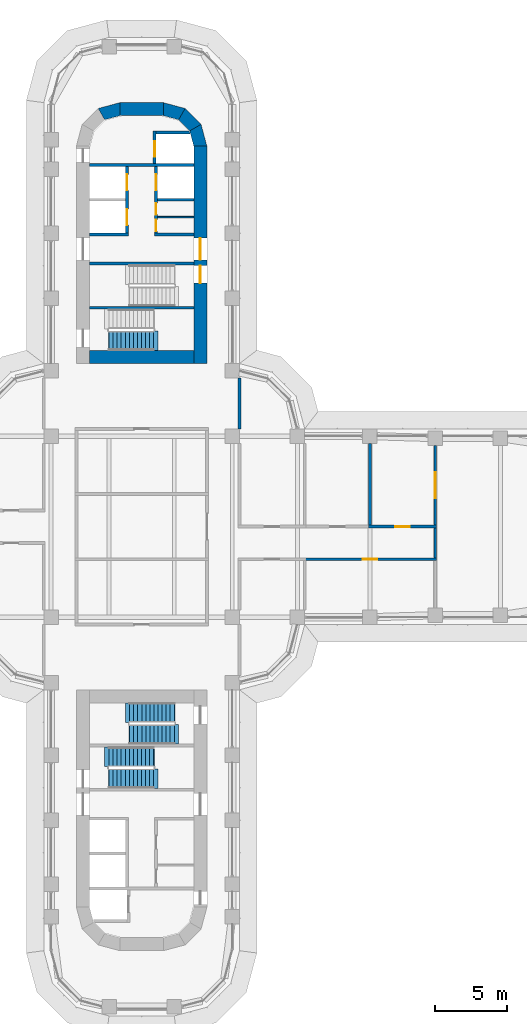
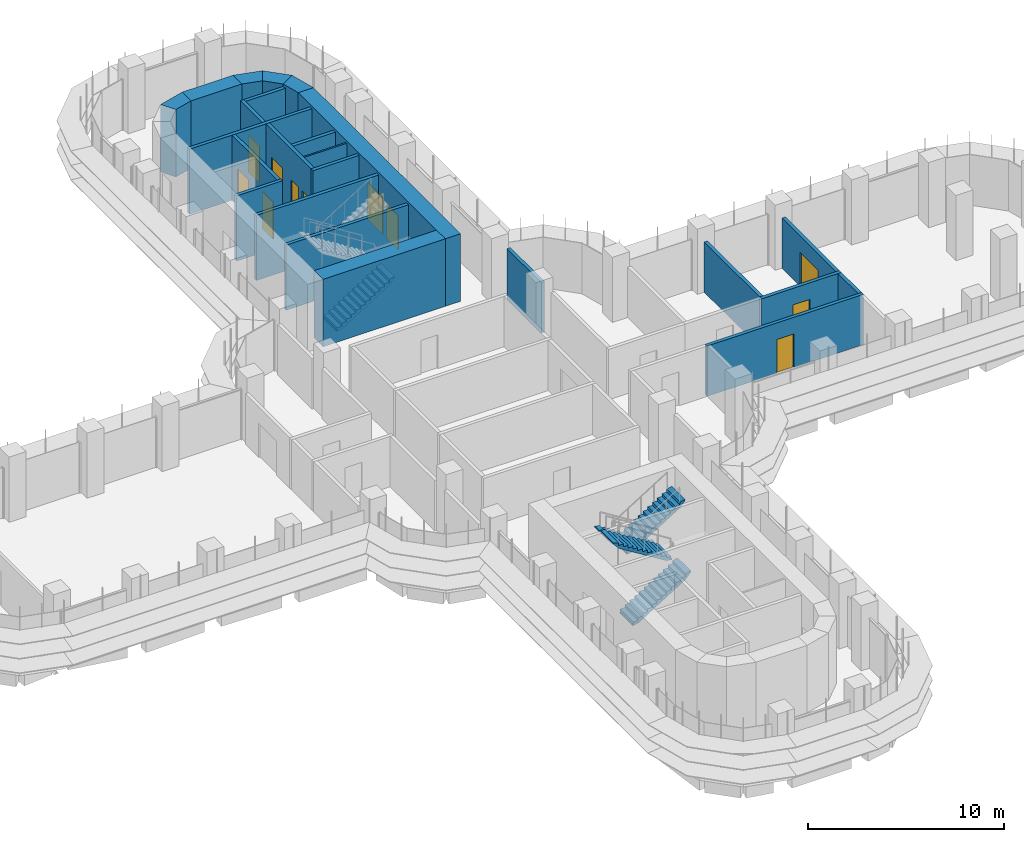
# One storey, part 18 of 23: 24 walls, 11 doors, 5 stair flights, 11 openings, 3 elements without a shape of their own.
"""IFC4 building model written with IfcOpenShell, lengths in metres."""

from ifc_helpers import new_model, si_unit, direction, frame, frame_2d, origin, place, context, subcontext, project, spatial, polyline, rectangle, outline, extrude, material, layer, layer_set, type_object, element, fill, aggregate, save


model = new_model("IFC4")

# Units and contexts
model_context = context("Model", 3, precision=1e-05, world=origin(), true_north=direction((0.0, 1.0)))
body_context = subcontext(model_context, "Body", "Model", "MODEL_VIEW")
ifc_project = project(units=[si_unit("LENGTHUNIT", "METRE"), si_unit("AREAUNIT", "SQUARE_METRE"), si_unit("VOLUMEUNIT", "CUBIC_METRE"), si_unit("PLANEANGLEUNIT", "RADIAN"), si_unit("MASSUNIT", "GRAM", prefix="KILO")], contexts=[model_context])

# Site, building, storey
site_placement = place(None, origin())
site = spatial("IfcSite", under=ifc_project, at=site_placement, CompositionType="ELEMENT")
building_placement = place(site_placement, origin())
building = spatial("IfcBuilding", under=site, at=building_placement, Name="Zarbagh Exchange Tower", CompositionType="ELEMENT")
storey_placement = place(building_placement, frame((0.0, 0.0, 73.199951171875)))
storey = spatial("IfcBuildingStorey", under=building, at=storey_placement, Name="L16", CompositionType="ELEMENT", Elevation=73.199951171875)

# Walls
ifc_material_1 = material(Name="Dense blockwork", Category="masonry")
ifc_layer_1 = layer(ifc_material_1, 0.10009765625)
ifc_layer_set_1 = layer_set([ifc_layer_1], Name="Core partition 100 mm blockwork")
wall_type_1 = type_object("IfcWallType", Name="Core partition 100 mm blockwork", PredefinedType="PARTITIONING", material=ifc_layer_set_1)
wall_1_placement = place(storey_placement, frame((1.10009765625, 21.35009765625, 0.0), z_axis=(0.0, 0.0, 1.0), x_axis=(1.0, 0.0, 0.0)))
element("IfcWall", 1, at=wall_1_placement, inside=storey, type_object=wall_type_1, Name="North core partition wall CUT-E-700", PredefinedType="PARTITIONING", context=body_context, shape_type="SweptSolid", body=[
    extrude(rectangle(XDim=2.5, YDim=0.10009765625, at=frame_2d((1.25, 0.0))), origin(), (0.0, 0.0, 1.0), 4.050048828125),
])
ifc_material_2 = material(Name="Fire-rated plasterboard partition")
ifc_layer_2 = layer(ifc_material_2, 0.199951171875)
ifc_layer_set_2 = layer_set([ifc_layer_2], Name="RATED PARTITION 200")
wall_type_2 = type_object("IfcWallType", Name="RATED PARTITION 200", PredefinedType="PARTITIONING", material=ifc_layer_set_2)
wall_2_placement = place(storey_placement, frame((6.75, 6.75, 0.0), z_axis=(0.0, 0.0, 1.0), x_axis=(0.0, 1.0, 0.0)))
element("IfcWall", 2, at=wall_2_placement, inside=storey, type_object=wall_type_2, Name="Partition W-512", PredefinedType="PARTITIONING", context=body_context, shape_type="SweptSolid", body=[
    extrude(rectangle(XDim=3.5, YDim=0.199951171875, at=frame_2d((1.75, 0.0))), origin(), (0.0, 0.0, 1.0), 3.130615234375),
])

# Wall, opening, door
wall_3_placement = place(storey_placement, frame((15.64990234375, 0.0, 0.0), z_axis=(0.0, 0.0, 1.0), x_axis=(1.0, 0.0, 0.0)))
wall_3 = element("IfcWall", 3, at=wall_3_placement, inside=storey, type_object=wall_type_2, Name="Partition W-522", PredefinedType="PARTITIONING", context=body_context, shape_type="SweptSolid", body=[
    extrude(rectangle(XDim=4.7001953125, YDim=0.199951171875, at=frame_2d((2.35009765625, 0.0))), origin(), (0.0, 0.0, 1.0), 3.130615234375),
])
opening_1_placement = place(wall_3_placement, frame((1.85009765625, 0.0, 0.0)))
opening_1 = element("IfcOpeningElement", 4, at=opening_1_placement, cuts=wall_3, Name="Opening D-507", PredefinedType="OPENING", context=body_context, shape_type="SweptSolid", body=[
    extrude(rectangle(XDim=1.0, YDim=2.10009765625, at=frame_2d((0.5, 1.050048828125))), frame((0.0, 0.10986328125, 0.0), z_axis=(0.0, -1.0, 0.0), x_axis=(1.0, 0.0, 0.0)), (0.0, 0.0, 1.0), 0.219970703125),
])
ifc_material_3 = material(Name="Steel door set", Category="steel")
door_type_1 = type_object("IfcDoorType", Name="FIRE DOOR 1000 X 2100 FD30S", OperationType="NOTDEFINED", PredefinedType="DOOR", material=ifc_material_3)
door_1_placement = place(opening_1_placement, origin())
door_1 = element("IfcDoor", 5, at=door_1_placement, inside=storey, type_object=door_type_1, Name="Door D-507", OperationType="SINGLE_SWING_LEFT", OverallHeight=2.10009765625, OverallWidth=1.0, PredefinedType="DOOR", context=body_context, shape_type="SweptSolid", body=[
    extrude(rectangle(XDim=1.0, YDim=2.10009765625, at=frame_2d((0.5, 1.050048828125))), frame((0.0, 0.02490234375, 0.0), z_axis=(0.0, -1.0, 0.0), x_axis=(1.0, 0.0, 0.0)), (0.0, 0.0, 1.0), 0.050048828125),
])
fill(opening_1, door_1)

wall_4_placement = place(storey_placement, frame((20.35009765625, -2.25, 0.0), z_axis=(0.0, 0.0, 1.0), x_axis=(-1.0, 0.0, 0.0)))
wall_4 = element("IfcWall", 6, at=wall_4_placement, inside=storey, type_object=wall_type_2, Name="Partition W-523", PredefinedType="PARTITIONING", context=body_context, shape_type="SweptSolid", body=[
    extrude(rectangle(XDim=9.2001953125, YDim=0.199951171875, at=frame_2d((4.60009765625, 0.0))), origin(), (0.0, 0.0, 1.0), 3.130615234375),
])
opening_2_placement = place(wall_4_placement, frame((4.10009765625, 0.0, 0.0)))
opening_2 = element("IfcOpeningElement", 7, at=opening_2_placement, cuts=wall_4, Name="Opening D-509", PredefinedType="OPENING", context=body_context, shape_type="SweptSolid", body=[
    extrude(rectangle(XDim=1.0, YDim=2.10009765625, at=frame_2d((0.5, 1.050048828125))), frame((0.0, 0.10986328125, 0.0), z_axis=(0.0, -1.0, 0.0), x_axis=(1.0, 0.0, 0.0)), (0.0, 0.0, 1.0), 0.219970703125),
])
door_2_placement = place(opening_2_placement, origin())
door_2 = element("IfcDoor", 8, at=door_2_placement, inside=storey, type_object=door_type_1, Name="Door D-509", OperationType="SINGLE_SWING_RIGHT", OverallHeight=2.10009765625, OverallWidth=1.0, PredefinedType="DOOR", context=body_context, shape_type="SweptSolid", body=[
    extrude(rectangle(XDim=1.0, YDim=2.10009765625, at=frame_2d((0.5, 1.050048828125))), frame((0.0, 0.02490234375, 0.0), z_axis=(0.0, -1.0, 0.0), x_axis=(1.0, 0.0, 0.0)), (0.0, 0.0, 1.0), 0.050048828125),
])
fill(opening_2, door_2)

# Walls
wall_5_placement = place(storey_placement, frame((20.25, -2.14990234375, 0.0), z_axis=(0.0, 0.0, 1.0), x_axis=(0.0, 1.0, 0.0)))
element("IfcWall", 9, at=wall_5_placement, inside=storey, type_object=wall_type_2, Name="Partition W-524", PredefinedType="PARTITIONING", context=body_context, shape_type="SweptSolid", body=[
    extrude(rectangle(XDim=2.0498046875, YDim=0.199951171875, at=frame_2d((1.02490234375, 0.0))), origin(), (0.0, 0.0, 1.0), 3.130615234375),
])
wall_6_placement = place(storey_placement, frame((15.75, 0.10009765625, 0.0), z_axis=(0.0, 0.0, 1.0), x_axis=(0.0, 1.0, 0.0)))
element("IfcWall", 10, at=wall_6_placement, inside=storey, type_object=wall_type_2, Name="Partition W-527", PredefinedType="PARTITIONING", context=body_context, shape_type="SweptSolid", body=[
    extrude(rectangle(XDim=5.64990234375, YDim=0.199951171875, at=frame_2d((2.824951171875, 0.0))), origin(), (0.0, 0.0, 1.0), 3.130615234375),
])

# Wall, opening, door
wall_7_placement = place(storey_placement, frame((20.25, 5.610107421875, 0.0), z_axis=(0.0, 0.0, 1.0), x_axis=(0.0, -1.0, 0.0)))
wall_7 = element("IfcWall", 11, at=wall_7_placement, inside=storey, type_object=wall_type_2, Name="Partition W-528", PredefinedType="PARTITIONING", context=body_context, shape_type="SweptSolid", body=[
    extrude(rectangle(XDim=5.510009765625, YDim=0.199951171875, at=frame_2d((2.7548828125, 0.0))), origin(), (0.0, 0.0, 1.0), 3.130615234375),
])
opening_3_placement = place(wall_7_placement, frame((1.85498046875, 0.0, 0.0)))
opening_3 = element("IfcOpeningElement", 12, at=opening_3_placement, cuts=wall_7, Name="Opening D-504", PredefinedType="OPENING", context=body_context, shape_type="SweptSolid", body=[
    extrude(rectangle(XDim=1.800048828125, YDim=2.10009765625, at=frame_2d((0.89990234375, 1.050048828125))), frame((0.0, 0.10986328125, 0.0), z_axis=(0.0, -1.0, 0.0), x_axis=(1.0, 0.0, 0.0)), (0.0, 0.0, 1.0), 0.219970703125),
])
door_type_2 = type_object("IfcDoorType", Name="FIRE DOUBLE DOOR 1800 X 2100 FD30S", OperationType="DOUBLE_DOOR_SINGLE_SWING", PredefinedType="DOOR", material=ifc_material_3)
door_3_placement = place(opening_3_placement, origin())
door_3 = element("IfcDoor", 13, at=door_3_placement, inside=storey, type_object=door_type_2, Name="Door D-504", OperationType="DOUBLE_DOOR_SINGLE_SWING", OverallHeight=2.10009765625, OverallWidth=1.800048828125, PredefinedType="DOOR", context=body_context, shape_type="SweptSolid", body=[
    extrude(rectangle(XDim=1.800048828125, YDim=2.10009765625, at=frame_2d((0.89990234375, 1.050048828125))), frame((0.0, 0.02490234375, 0.0), z_axis=(0.0, -1.0, 0.0), x_axis=(1.0, 0.0, 0.0)), (0.0, 0.0, 1.0), 0.050048828125),
])
fill(opening_3, door_3)

# Walls
ifc_material_4 = material(Name="Concrete C60/75", Category="concrete")
ifc_layer_3 = layer(ifc_material_4, 0.89990234375)
ifc_layer_set_3 = layer_set([ifc_layer_3], Name="RC core corner wall 900 C60/75")
wall_type_3 = type_object("IfcWallType", Name="RC core corner wall 900 C60/75", PredefinedType="SHEAR", material=ifc_layer_set_3)
wall_8_placement = place(storey_placement, origin())
element("IfcWall", 14, at=wall_8_placement, inside=storey, type_object=wall_type_3, Name="CW2 core N corner W", PredefinedType="SHEAR", context=body_context, shape_type="SweptSolid", body=[
    extrude(outline(polyline([(-3.0, 28.84814453125), (-1.5, 29.25), (-1.5, 28.35009765625), (-2.550048828125, 28.068603515625), (-3.0, 28.84814453125)])), origin(), (0.0, 0.0, 1.0), 4.199951171875),
])
wall_9_placement = place(storey_placement, origin())
element("IfcWall", 15, at=wall_9_placement, inside=storey, type_object=wall_type_3, Name="CW2 core N corner E", PredefinedType="SHEAR", context=body_context, shape_type="SweptSolid", body=[
    extrude(outline(polyline([(4.5, 26.25), (4.09814453125, 27.75), (3.318603515625, 27.300048828125), (3.60009765625, 26.25), (4.5, 26.25)])), origin(), (0.0, 0.0, 1.0), 4.199951171875),
])
wall_10_placement = place(storey_placement, origin())
element("IfcWall", 16, at=wall_10_placement, inside=storey, type_object=wall_type_3, Name="CW2 core N corner E", PredefinedType="SHEAR", context=body_context, shape_type="SweptSolid", body=[
    extrude(outline(polyline([(4.09814453125, 27.75), (3.0, 28.84814453125), (2.550048828125, 28.068603515625), (3.318603515625, 27.300048828125), (4.09814453125, 27.75)])), origin(), (0.0, 0.0, 1.0), 4.199951171875),
])
wall_11_placement = place(storey_placement, origin())
element("IfcWall", 17, at=wall_11_placement, inside=storey, type_object=wall_type_3, Name="CW2 core N corner E", PredefinedType="SHEAR", context=body_context, shape_type="SweptSolid", body=[
    extrude(outline(polyline([(3.0, 28.84814453125), (1.5, 29.25), (1.5, 28.35009765625), (2.550048828125, 28.068603515625), (3.0, 28.84814453125)])), origin(), (0.0, 0.0, 1.0), 4.199951171875),
])

# Wall, openings, doors
ifc_layer_4 = layer(ifc_material_4, 0.89990234375)
ifc_layer_set_4 = layer_set([ifc_layer_4], Name="RC core wall 900 C60/75")
wall_type_4 = type_object("IfcWallType", Name="RC core wall 900 C60/75", PredefinedType="SHEAR", material=ifc_layer_set_4)
wall_12_placement = place(storey_placement, frame((4.050048828125, 11.25, 0.0), z_axis=(0.0, 0.0, 1.0), x_axis=(0.0, 1.0, 0.0)))
wall_12 = element("IfcWall", 18, at=wall_12_placement, inside=storey, type_object=wall_type_4, Name="CW1 core N E", PredefinedType="SHEAR", context=body_context, shape_type="SweptSolid", body=[
    extrude(rectangle(XDim=15.0, YDim=0.89990234375, at=frame_2d((7.5, 0.0))), origin(), (0.0, 0.0, 1.0), 4.199951171875),
])
opening_4_placement = place(wall_12_placement, frame((7.14990234375, 0.0, 0.0)))
opening_4 = element("IfcOpeningElement", 19, at=opening_4_placement, cuts=wall_12, Name="Opening CD1-1500", PredefinedType="OPENING", context=body_context, shape_type="SweptSolid", body=[
    extrude(rectangle(XDim=1.5, YDim=2.300048828125, at=frame_2d((0.75, 1.14990234375))), frame((0.0, 0.4599609375, 0.0), z_axis=(0.0, -1.0, 0.0), x_axis=(1.0, 0.0, 0.0)), (0.0, 0.0, 1.0), 0.919921875),
])
opening_5_placement = place(wall_12_placement, frame((5.550048828125, 0.0, 0.0)))
opening_5 = element("IfcOpeningElement", 20, at=opening_5_placement, cuts=wall_12, Name="Opening SD1-1200", PredefinedType="OPENING", context=body_context, shape_type="SweptSolid", body=[
    extrude(rectangle(XDim=1.199951171875, YDim=2.10009765625, at=frame_2d((0.60009765625, 1.050048828125))), frame((0.0, 0.4599609375, 0.0), z_axis=(0.0, -1.0, 0.0), x_axis=(1.0, 0.0, 0.0)), (0.0, 0.0, 1.0), 0.919921875),
])
ifc_material_5 = material(Name="Steel", Category="steel")
door_type_3 = type_object("IfcDoorType", Name="Exit stair door 1200 x 2100", OperationType="NOTDEFINED", PredefinedType="DOOR", material=ifc_material_5)
door_4_placement = place(opening_5_placement, origin())
door_4 = element("IfcDoor", 21, at=door_4_placement, inside=storey, type_object=door_type_3, Name="North core stair door ST1", OperationType="SINGLE_SWING_RIGHT", OverallHeight=2.10009765625, OverallWidth=1.199951171875, PredefinedType="DOOR", context=body_context, shape_type="SweptSolid", body=[
    extrude(rectangle(XDim=1.199951171875, YDim=2.10009765625, at=frame_2d((0.60009765625, 1.050048828125))), frame((0.0, 0.02490234375, 0.0), z_axis=(0.0, -1.0, 0.0), x_axis=(1.0, 0.0, 0.0)), (0.0, 0.0, 1.0), 0.050048828125),
])
fill(opening_5, door_4)
door_type_4 = type_object("IfcDoorType", Name="Lift lobby double door 1500 x 2300", OperationType="NOTDEFINED", PredefinedType="DOOR", material=ifc_material_5)
door_5_placement = place(opening_4_placement, origin())
door_5 = element("IfcDoor", 22, at=door_5_placement, inside=storey, type_object=door_type_4, Name="North core lift lobby door LOBBY-E", OperationType="DOUBLE_DOOR_SINGLE_SWING", OverallHeight=2.300048828125, OverallWidth=1.5, PredefinedType="DOOR", context=body_context, shape_type="SweptSolid", body=[
    extrude(rectangle(XDim=1.5, YDim=2.300048828125, at=frame_2d((0.75, 1.14990234375))), frame((0.0, 0.02490234375, 0.0), z_axis=(0.0, -1.0, 0.0), x_axis=(1.0, 0.0, 0.0)), (0.0, 0.0, 1.0), 0.050048828125),
])
fill(opening_4, door_5)

# Walls
wall_13_placement = place(storey_placement, frame((-3.60009765625, 11.699951171875, 0.0), z_axis=(0.0, 0.0, 1.0), x_axis=(1.0, 0.0, 0.0)))
element("IfcWall", 23, at=wall_13_placement, inside=storey, type_object=wall_type_4, Name="CW1 core N inner end", PredefinedType="SHEAR", context=body_context, shape_type="SweptSolid", body=[
    extrude(rectangle(XDim=7.2001953125, YDim=0.89990234375, at=frame_2d((3.60009765625, 0.0))), origin(), (0.0, 0.0, 1.0), 4.199951171875),
])
wall_14_placement = place(storey_placement, frame((-1.5, 28.800048828125, 0.0), z_axis=(0.0, 0.0, 1.0), x_axis=(1.0, 0.0, 0.0)))
element("IfcWall", 24, at=wall_14_placement, inside=storey, type_object=wall_type_4, Name="CW1 core N outer end", PredefinedType="SHEAR", context=body_context, shape_type="SweptSolid", body=[
    extrude(rectangle(XDim=3.0, YDim=0.89990234375, at=frame_2d((1.5, 0.0))), origin(), (0.0, 0.0, 1.0), 4.199951171875),
])
ifc_layer_5 = layer(ifc_material_1, 0.199951171875)
ifc_layer_set_5 = layer_set([ifc_layer_5], Name="Shaft wall 200 mm blockwork")
wall_type_5 = type_object("IfcWallType", Name="Shaft wall 200 mm blockwork", PredefinedType="PARTITIONING", material=ifc_layer_set_5)
wall_15_placement = place(storey_placement, frame((-3.60009765625, 20.14990234375, 0.0), z_axis=(0.0, 0.0, 1.0), x_axis=(1.0, 0.0, 0.0)))
element("IfcWall", 25, at=wall_15_placement, inside=storey, type_object=wall_type_5, Name="North core shaft wall AB-W", PredefinedType="PARTITIONING", context=body_context, shape_type="SweptSolid", body=[
    extrude(rectangle(XDim=2.7001953125, YDim=0.199951171875, at=frame_2d((1.35009765625, 0.0))), origin(), (0.0, 0.0, 1.0), 4.050048828125),
])

# Wall, openings, doors
wall_16_placement = place(storey_placement, frame((-1.0, 24.85009765625, 0.0), z_axis=(0.0, 0.0, 1.0), x_axis=(0.0, -1.0, 0.0)))
wall_16 = element("IfcWall", 26, at=wall_16_placement, inside=storey, type_object=wall_type_5, Name="North core shaft wall LW-W", PredefinedType="PARTITIONING", context=body_context, shape_type="SweptSolid", body=[
    extrude(rectangle(XDim=4.60009765625, YDim=0.199951171875, at=frame_2d((2.300048828125, 0.0))), origin(), (0.0, 0.0, 1.0), 4.050048828125),
])
opening_6_placement = place(wall_16_placement, frame((0.550048828125, 0.0, 0.0)))
opening_6 = element("IfcOpeningElement", 27, at=opening_6_placement, cuts=wall_16, Name="Opening LD-1100", PredefinedType="OPENING", context=body_context, shape_type="SweptSolid", body=[
    extrude(rectangle(XDim=1.10009765625, YDim=2.300048828125, at=frame_2d((0.550048828125, 1.14990234375))), frame((0.0, 0.10986328125, 0.0), z_axis=(0.0, -1.0, 0.0), x_axis=(1.0, 0.0, 0.0)), (0.0, 0.0, 1.0), 0.219970703125),
])
opening_7_placement = place(wall_16_placement, frame((2.949951171875, 0.0, 0.0)))
opening_7 = element("IfcOpeningElement", 28, at=opening_7_placement, cuts=wall_16, Name="Opening LD-1100", PredefinedType="OPENING", context=body_context, shape_type="SweptSolid", body=[
    extrude(rectangle(XDim=1.10009765625, YDim=2.300048828125, at=frame_2d((0.550048828125, 1.14990234375))), frame((0.0, 0.10986328125, 0.0), z_axis=(0.0, -1.0, 0.0), x_axis=(1.0, 0.0, 0.0)), (0.0, 0.0, 1.0), 0.219970703125),
])
ifc_material_6 = material(Name="Stainless steel", Category="steel")
door_type_5 = type_object("IfcDoorType", Name="Lift landing door 1100 x 2300", OperationType="NOTDEFINED", PredefinedType="DOOR", material=ifc_material_6)
door_6_placement = place(opening_6_placement, origin())
door_6 = element("IfcDoor", 29, at=door_6_placement, inside=storey, type_object=door_type_5, Name="North core lift landing door LD-P-N1", OperationType="DOUBLE_DOOR_SLIDING", OverallHeight=2.300048828125, OverallWidth=1.10009765625, PredefinedType="DOOR", context=body_context, shape_type="SweptSolid", body=[
    extrude(rectangle(XDim=1.10009765625, YDim=2.300048828125, at=frame_2d((0.550048828125, 1.14990234375))), frame((0.0, 0.02490234375, 0.0), z_axis=(0.0, -1.0, 0.0), x_axis=(1.0, 0.0, 0.0)), (0.0, 0.0, 1.0), 0.050048828125),
])
fill(opening_6, door_6)
door_7_placement = place(opening_7_placement, origin())
door_7 = element("IfcDoor", 30, at=door_7_placement, inside=storey, type_object=door_type_5, Name="North core lift landing door LD-P-N2", OperationType="DOUBLE_DOOR_SLIDING", OverallHeight=2.300048828125, OverallWidth=1.10009765625, PredefinedType="DOOR", context=body_context, shape_type="SweptSolid", body=[
    extrude(rectangle(XDim=1.10009765625, YDim=2.300048828125, at=frame_2d((0.550048828125, 1.14990234375))), frame((0.0, 0.02490234375, 0.0), z_axis=(0.0, -1.0, 0.0), x_axis=(1.0, 0.0, 0.0)), (0.0, 0.0, 1.0), 0.050048828125),
])
fill(opening_7, door_7)

# Wall
wall_17_placement = place(storey_placement, frame((0.89990234375, 20.14990234375, 0.0), z_axis=(0.0, 0.0, 1.0), x_axis=(1.0, 0.0, 0.0)))
element("IfcWall", 31, at=wall_17_placement, inside=storey, type_object=wall_type_5, Name="North core shaft wall AB-E", PredefinedType="PARTITIONING", context=body_context, shape_type="SweptSolid", body=[
    extrude(rectangle(XDim=2.7001953125, YDim=0.199951171875, at=frame_2d((1.35009765625, 0.0))), origin(), (0.0, 0.0, 1.0), 4.050048828125),
])

# Wall, openings, doors
wall_18_placement = place(storey_placement, frame((1.0, 24.85009765625, 0.0), z_axis=(0.0, 0.0, 1.0), x_axis=(0.0, -1.0, 0.0)))
wall_18 = element("IfcWall", 32, at=wall_18_placement, inside=storey, type_object=wall_type_5, Name="North core shaft wall LW-E", PredefinedType="PARTITIONING", context=body_context, shape_type="SweptSolid", body=[
    extrude(rectangle(XDim=4.60009765625, YDim=0.199951171875, at=frame_2d((2.300048828125, 0.0))), origin(), (0.0, 0.0, 1.0), 4.050048828125),
])
opening_8_placement = place(wall_18_placement, frame((0.550048828125, 0.0, 0.0)))
opening_8 = element("IfcOpeningElement", 33, at=opening_8_placement, cuts=wall_18, Name="Opening LD-1100", PredefinedType="OPENING", context=body_context, shape_type="SweptSolid", body=[
    extrude(rectangle(XDim=1.10009765625, YDim=2.300048828125, at=frame_2d((0.550048828125, 1.14990234375))), frame((0.0, 0.10986328125, 0.0), z_axis=(0.0, -1.0, 0.0), x_axis=(1.0, 0.0, 0.0)), (0.0, 0.0, 1.0), 0.219970703125),
])
opening_9_placement = place(wall_18_placement, frame((2.52490234375, 0.0, 0.0)))
opening_9 = element("IfcOpeningElement", 34, at=opening_9_placement, cuts=wall_18, Name="Opening CD3-800", PredefinedType="OPENING", context=body_context, shape_type="SweptSolid", body=[
    extrude(rectangle(XDim=0.800048828125, YDim=2.10009765625, at=frame_2d((0.39990234375, 1.050048828125))), frame((0.0, 0.10986328125, 0.0), z_axis=(0.0, -1.0, 0.0), x_axis=(1.0, 0.0, 0.0)), (0.0, 0.0, 1.0), 0.219970703125),
])
opening_10_placement = place(wall_18_placement, frame((3.675048828125, 0.0, 0.0)))
opening_10 = element("IfcOpeningElement", 35, at=opening_10_placement, cuts=wall_18, Name="Opening CD3-800", PredefinedType="OPENING", context=body_context, shape_type="SweptSolid", body=[
    extrude(rectangle(XDim=0.800048828125, YDim=2.10009765625, at=frame_2d((0.39990234375, 1.050048828125))), frame((0.0, 0.10986328125, 0.0), z_axis=(0.0, -1.0, 0.0), x_axis=(1.0, 0.0, 0.0)), (0.0, 0.0, 1.0), 0.219970703125),
])
door_type_6 = type_object("IfcDoorType", Name="Core room door 800 x 2100", OperationType="NOTDEFINED", PredefinedType="DOOR", material=ifc_material_5)
door_8_placement = place(opening_9_placement, origin())
door_8 = element("IfcDoor", 36, at=door_8_placement, inside=storey, type_object=door_type_6, Name="North core Store door RD-E-0", OperationType="SINGLE_SWING_RIGHT", OverallHeight=2.10009765625, OverallWidth=0.800048828125, PredefinedType="DOOR", context=body_context, shape_type="SweptSolid", body=[
    extrude(rectangle(XDim=0.800048828125, YDim=2.10009765625, at=frame_2d((0.39990234375, 1.050048828125))), frame((0.0, 0.02490234375, 0.0), z_axis=(0.0, -1.0, 0.0), x_axis=(1.0, 0.0, 0.0)), (0.0, 0.0, 1.0), 0.050048828125),
])
fill(opening_9, door_8)
door_9_placement = place(opening_10_placement, origin())
door_9 = element("IfcDoor", 37, at=door_9_placement, inside=storey, type_object=door_type_6, Name="North core IT room door RD-E-1", OperationType="SINGLE_SWING_RIGHT", OverallHeight=2.10009765625, OverallWidth=0.800048828125, PredefinedType="DOOR", context=body_context, shape_type="SweptSolid", body=[
    extrude(rectangle(XDim=0.800048828125, YDim=2.10009765625, at=frame_2d((0.39990234375, 1.050048828125))), frame((0.0, 0.02490234375, 0.0), z_axis=(0.0, -1.0, 0.0), x_axis=(1.0, 0.0, 0.0)), (0.0, 0.0, 1.0), 0.050048828125),
])
fill(opening_10, door_9)
door_10_placement = place(opening_8_placement, origin())
door_10 = element("IfcDoor", 38, at=door_10_placement, inside=storey, type_object=door_type_5, Name="North core lift landing door LD-P-N3", OperationType="DOUBLE_DOOR_SLIDING", OverallHeight=2.300048828125, OverallWidth=1.10009765625, PredefinedType="DOOR", context=body_context, shape_type="SweptSolid", body=[
    extrude(rectangle(XDim=1.10009765625, YDim=2.300048828125, at=frame_2d((0.550048828125, 1.14990234375))), frame((0.0, 0.02490234375, 0.0), z_axis=(0.0, -1.0, 0.0), x_axis=(1.0, 0.0, 0.0)), (0.0, 0.0, 1.0), 0.050048828125),
])
fill(opening_8, door_10)

# Walls
wall_19_placement = place(storey_placement, frame((1.10009765625, 22.550048828125, 0.0), z_axis=(0.0, 0.0, 1.0), x_axis=(1.0, 0.0, 0.0)))
element("IfcWall", 39, at=wall_19_placement, inside=storey, type_object=wall_type_5, Name="North core shaft wall TR-E", PredefinedType="PARTITIONING", context=body_context, shape_type="SweptSolid", body=[
    extrude(rectangle(XDim=2.5, YDim=0.199951171875, at=frame_2d((1.25, 0.0))), origin(), (0.0, 0.0, 1.0), 4.050048828125),
])
ifc_material_7 = material(Name="Concrete C40/50", Category="concrete")
ifc_layer_6 = layer(ifc_material_7, 0.199951171875)
ifc_layer_set_6 = layer_set([ifc_layer_6], Name="Stair enclosure wall 200 mm RC C40/50")
wall_type_6 = type_object("IfcWallType", Name="Stair enclosure wall 200 mm RC C40/50", PredefinedType="SHEAR", material=ifc_layer_set_6)
wall_20_placement = place(storey_placement, frame((-3.60009765625, 24.949951171875, 0.0), z_axis=(0.0, 0.0, 1.0), x_axis=(1.0, 0.0, 0.0)))
element("IfcWall", 40, at=wall_20_placement, inside=storey, type_object=wall_type_6, Name="North core lift shaft wall FFA", PredefinedType="SHEAR", context=body_context, shape_type="SweptSolid", body=[
    extrude(rectangle(XDim=7.2001953125, YDim=0.199951171875, at=frame_2d((3.60009765625, 0.0))), origin(), (0.0, 0.0, 1.0), 4.050048828125),
])

# Wall, opening, door
wall_21_placement = place(storey_placement, frame((0.89990234375, 27.300048828125, 0.0), z_axis=(0.0, 0.0, 1.0), x_axis=(0.0, -1.0, 0.0)))
wall_21 = element("IfcWall", 41, at=wall_21_placement, inside=storey, type_object=wall_type_6, Name="North core lift shaft wall FFL", PredefinedType="SHEAR", context=body_context, shape_type="SweptSolid", body=[
    extrude(rectangle(XDim=2.25, YDim=0.199951171875, at=frame_2d((1.125, 0.0))), origin(), (0.0, 0.0, 1.0), 4.050048828125),
])
opening_11_placement = place(wall_21_placement, frame((0.699951171875, 0.0, 0.0)))
opening_11 = element("IfcOpeningElement", 42, at=opening_11_placement, cuts=wall_21, Name="Opening LD-1100", PredefinedType="OPENING", context=body_context, shape_type="SweptSolid", body=[
    extrude(rectangle(XDim=1.10009765625, YDim=2.300048828125, at=frame_2d((0.550048828125, 1.14990234375))), frame((0.0, 0.10986328125, 0.0), z_axis=(0.0, -1.0, 0.0), x_axis=(1.0, 0.0, 0.0)), (0.0, 0.0, 1.0), 0.219970703125),
])
door_11_placement = place(opening_11_placement, origin())
door_11 = element("IfcDoor", 43, at=door_11_placement, inside=storey, type_object=door_type_5, Name="North core lift landing door LD-F", OperationType="DOUBLE_DOOR_SLIDING", OverallHeight=2.300048828125, OverallWidth=1.10009765625, PredefinedType="DOOR", context=body_context, shape_type="SweptSolid", body=[
    extrude(rectangle(XDim=1.10009765625, YDim=2.300048828125, at=frame_2d((0.550048828125, 1.14990234375))), frame((0.0, 0.02490234375, 0.0), z_axis=(0.0, -1.0, 0.0), x_axis=(1.0, 0.0, 0.0)), (0.0, 0.0, 1.0), 0.050048828125),
])
fill(opening_11, door_11)

# Walls
wall_22_placement = place(storey_placement, origin())
element("IfcWall", 44, at=wall_22_placement, inside=storey, type_object=wall_type_6, Name="North core lift shaft wall FFX", PredefinedType="SHEAR", context=body_context, shape_type="SweptSolid", body=[
    extrude(outline(polyline([(1.0, 27.10009765625), (3.340576171875, 27.10009765625), (3.291259765625, 27.2841796875), (3.275390625, 27.300048828125), (1.0, 27.300048828125), (1.0, 27.10009765625)])), origin(), (0.0, 0.0, 1.0), 4.050048828125),
])
for number, where, z_axis, x_axis, name in (
    (45, (-3.60009765625, 18.14990234375, 0.0), (0.0, 0.0, 1.0), (1.0, 0.0, 0.0), "North core stair wall BS"),
    (46, (-3.60009765625, 15.10009765625, 0.0), (0.0, 0.0, 1.0), (1.0, 0.0, 0.0), "North core stair wall ST12"),
):
    element("IfcWall", number, at=place(storey_placement, frame(where, z_axis=z_axis, x_axis=x_axis)), inside=storey, type_object=wall_type_6, Name=name, PredefinedType="SHEAR", context=body_context, shape_type="SweptSolid", body=[
        extrude(rectangle(XDim=7.2001953125, YDim=0.199951171875, at=frame_2d((3.60009765625, 0.0))), origin(), (0.0, 0.0, 1.0), 4.050048828125),
    ])

# Stair, stair flight
stair_type = type_object("IfcStairType", Name="Exit stair two-flight half-turn", PredefinedType="HALF_TURN_STAIR", material=ifc_material_7)
stair_1_placement = place(storey_placement, origin())
stair_1 = element("IfcStair", 47, at=stair_1_placement, inside=storey, type_object=stair_type, Name="exit stair ST2", PredefinedType="HALF_TURN_STAIR")
stair_flight_type = type_object("IfcStairFlightType", Name="Stair flight 1350 mm", PredefinedType="STRAIGHT", material=ifc_material_7)
stair_flight_1_placement = place(storey_placement, frame((-2.25, 12.824951171875, 0.0), z_axis=(0.0, 0.0, 1.0), x_axis=(1.0, 0.0, 0.0)))
stair_flight_1 = element("IfcStairFlight", 48, at=stair_flight_1_placement, type_object=stair_flight_type, Name="ST2 flight 1", NumberOfRisers=12, NumberOfTreads=11, PredefinedType="STRAIGHT", RiserHeight=0.175, TreadLength=0.28, context=body_context, shape_type="SweptSolid", body=[
    extrude(outline(polyline([(-0.050048828125, -0.050048828125), (-0.050048828125, 0.0), (0.0, 0.0), (0.0, 0.175048828125), (0.280029296875, 0.175048828125), (0.280029296875, 0.35009765625), (0.56005859375, 0.35009765625), (0.56005859375, 0.52490234375), (0.840087890625, 0.52490234375), (0.840087890625, 0.699951171875), (1.1201171875, 0.699951171875), (1.1201171875, 0.875), (1.39990234375, 0.875), (1.39990234375, 1.050048828125), (1.679931640625, 1.050048828125), (1.679931640625, 1.22509765625), (1.9599609375, 1.22509765625), (1.9599609375, 1.39990234375), (2.239990234375, 1.39990234375), (2.239990234375, 1.574951171875), (2.52001953125, 1.574951171875), (2.52001953125, 1.75), (2.800048828125, 1.75), (2.800048828125, 1.925048828125), (3.080078125, 1.925048828125), (3.080078125, 2.10009765625), (3.3798828125, 2.179931640625), (3.3798828125, 2.10009765625), (3.080078125, 1.748291015625), (0.28271484375, 0.0), (-0.050048828125, -0.050048828125)])), frame((0.0, 0.675048828125, 0.0), z_axis=(0.0, -1.0, 0.0), x_axis=(1.0, 0.0, 0.0)), (0.0, 0.0, 1.0), 1.35009765625),
])
aggregate(stair_1, [stair_flight_1])

# Stair, stair flights
stair_2_placement = place(storey_placement, origin())
stair_2 = element("IfcStair", 49, at=stair_2_placement, inside=storey, type_object=stair_type, Name="exit stair ST3", PredefinedType="HALF_TURN_STAIR")
stair_flight_2_placement = place(storey_placement, frame((-2.25, -17.375, 0.0), z_axis=(0.0, 0.0, 1.0), x_axis=(1.0, 0.0, 0.0)))
stair_flight_2 = element("IfcStairFlight", 50, at=stair_flight_2_placement, type_object=stair_flight_type, Name="ST3 flight 1", NumberOfRisers=12, NumberOfTreads=11, PredefinedType="STRAIGHT", RiserHeight=0.175, TreadLength=0.28, context=body_context, shape_type="SweptSolid", body=[
    extrude(outline(polyline([(-0.050048828125, -0.050048828125), (-0.050048828125, 0.0), (0.0, 0.0), (0.0, 0.175048828125), (0.280029296875, 0.175048828125), (0.280029296875, 0.35009765625), (0.56005859375, 0.35009765625), (0.56005859375, 0.52490234375), (0.840087890625, 0.52490234375), (0.840087890625, 0.699951171875), (1.1201171875, 0.699951171875), (1.1201171875, 0.875), (1.39990234375, 0.875), (1.39990234375, 1.050048828125), (1.679931640625, 1.050048828125), (1.679931640625, 1.22509765625), (1.9599609375, 1.22509765625), (1.9599609375, 1.39990234375), (2.239990234375, 1.39990234375), (2.239990234375, 1.574951171875), (2.52001953125, 1.574951171875), (2.52001953125, 1.75), (2.800048828125, 1.75), (2.800048828125, 1.925048828125), (3.080078125, 1.925048828125), (3.080078125, 2.10009765625), (3.3798828125, 2.179931640625), (3.3798828125, 2.10009765625), (3.080078125, 1.748291015625), (0.28271484375, 0.0), (-0.050048828125, -0.050048828125)])), frame((0.0, 0.675048828125, 0.0), z_axis=(0.0, -1.0, 0.0), x_axis=(1.0, 0.0, 0.0)), (0.0, 0.0, 1.0), 1.35009765625),
])
stair_flight_3_placement = place(storey_placement, frame((0.830078125, -15.875, 2.10009765625), z_axis=(0.0, 0.0, 1.0), x_axis=(-1.0, 0.0, 0.0)))
stair_flight_3 = element("IfcStairFlight", 51, at=stair_flight_3_placement, type_object=stair_flight_type, Name="ST3 flight 2", NumberOfRisers=12, NumberOfTreads=11, PredefinedType="STRAIGHT", RiserHeight=0.175, TreadLength=0.28, context=body_context, shape_type="SweptSolid", body=[
    extrude(outline(polyline([(-0.050048828125, -0.050048828125), (-0.050048828125, 0.0), (0.0, 0.0), (0.0, 0.175048828125), (0.280029296875, 0.175048828125), (0.280029296875, 0.35009765625), (0.56005859375, 0.35009765625), (0.56005859375, 0.52490234375), (0.840087890625, 0.52490234375), (0.840087890625, 0.699951171875), (1.1201171875, 0.699951171875), (1.1201171875, 0.875), (1.39990234375, 0.875), (1.39990234375, 1.050048828125), (1.679931640625, 1.050048828125), (1.679931640625, 1.22509765625), (1.9599609375, 1.22509765625), (1.9599609375, 1.39990234375), (2.239990234375, 1.39990234375), (2.239990234375, 1.574951171875), (2.52001953125, 1.574951171875), (2.52001953125, 1.75), (2.800048828125, 1.75), (2.800048828125, 1.925048828125), (3.080078125, 1.925048828125), (3.080078125, 2.10009765625), (3.3798828125, 2.179931640625), (3.3798828125, 2.10009765625), (3.080078125, 1.748291015625), (0.28271484375, 0.0), (-0.050048828125, -0.050048828125)])), frame((0.0, 0.675048828125, 0.0), z_axis=(0.0, -1.0, 0.0), x_axis=(1.0, 0.0, 0.0)), (0.0, 0.0, 1.0), 1.35009765625),
])
aggregate(stair_2, [stair_flight_2, stair_flight_3])

stair_3_placement = place(storey_placement, origin())
stair_3 = element("IfcStair", 52, at=stair_3_placement, inside=storey, type_object=stair_type, Name="exit stair ST4", PredefinedType="HALF_TURN_STAIR")
stair_flight_4_placement = place(storey_placement, frame((2.25, -12.824951171875, 0.0), z_axis=(0.0, 0.0, 1.0), x_axis=(-1.0, 0.0, 0.0)))
stair_flight_4 = element("IfcStairFlight", 53, at=stair_flight_4_placement, type_object=stair_flight_type, Name="ST4 flight 1", NumberOfRisers=12, NumberOfTreads=11, PredefinedType="STRAIGHT", RiserHeight=0.175, TreadLength=0.28, context=body_context, shape_type="SweptSolid", body=[
    extrude(outline(polyline([(-0.050048828125, -0.050048828125), (-0.050048828125, 0.0), (0.0, 0.0), (0.0, 0.175048828125), (0.280029296875, 0.175048828125), (0.280029296875, 0.35009765625), (0.56005859375, 0.35009765625), (0.56005859375, 0.52490234375), (0.840087890625, 0.52490234375), (0.840087890625, 0.699951171875), (1.1201171875, 0.699951171875), (1.1201171875, 0.875), (1.39990234375, 0.875), (1.39990234375, 1.050048828125), (1.679931640625, 1.050048828125), (1.679931640625, 1.22509765625), (1.9599609375, 1.22509765625), (1.9599609375, 1.39990234375), (2.239990234375, 1.39990234375), (2.239990234375, 1.574951171875), (2.52001953125, 1.574951171875), (2.52001953125, 1.75), (2.800048828125, 1.75), (2.800048828125, 1.925048828125), (3.080078125, 1.925048828125), (3.080078125, 2.10009765625), (3.3798828125, 2.179931640625), (3.3798828125, 2.10009765625), (3.080078125, 1.748291015625), (0.28271484375, 0.0), (-0.050048828125, -0.050048828125)])), frame((0.0, 0.675048828125, 0.0), z_axis=(0.0, -1.0, 0.0), x_axis=(1.0, 0.0, 0.0)), (0.0, 0.0, 1.0), 1.35009765625),
])
stair_flight_5_placement = place(storey_placement, frame((-0.830078125, -14.324951171875, 2.10009765625), z_axis=(0.0, 0.0, 1.0), x_axis=(1.0, 0.0, 0.0)))
stair_flight_5 = element("IfcStairFlight", 54, at=stair_flight_5_placement, type_object=stair_flight_type, Name="ST4 flight 2", NumberOfRisers=12, NumberOfTreads=11, PredefinedType="STRAIGHT", RiserHeight=0.175, TreadLength=0.28, context=body_context, shape_type="SweptSolid", body=[
    extrude(outline(polyline([(-0.050048828125, -0.050048828125), (-0.050048828125, 0.0), (0.0, 0.0), (0.0, 0.175048828125), (0.280029296875, 0.175048828125), (0.280029296875, 0.35009765625), (0.56005859375, 0.35009765625), (0.56005859375, 0.52490234375), (0.840087890625, 0.52490234375), (0.840087890625, 0.699951171875), (1.1201171875, 0.699951171875), (1.1201171875, 0.875), (1.39990234375, 0.875), (1.39990234375, 1.050048828125), (1.679931640625, 1.050048828125), (1.679931640625, 1.22509765625), (1.9599609375, 1.22509765625), (1.9599609375, 1.39990234375), (2.239990234375, 1.39990234375), (2.239990234375, 1.574951171875), (2.52001953125, 1.574951171875), (2.52001953125, 1.75), (2.800048828125, 1.75), (2.800048828125, 1.925048828125), (3.080078125, 1.925048828125), (3.080078125, 2.10009765625), (3.3798828125, 2.179931640625), (3.3798828125, 2.10009765625), (3.080078125, 1.748291015625), (0.28271484375, 0.0), (-0.050048828125, -0.050048828125)])), frame((0.0, 0.675048828125, 0.0), z_axis=(0.0, -1.0, 0.0), x_axis=(1.0, 0.0, 0.0)), (0.0, 0.0, 1.0), 1.35009765625),
])
aggregate(stair_3, [stair_flight_4, stair_flight_5])

save(model, "model.ifc")
